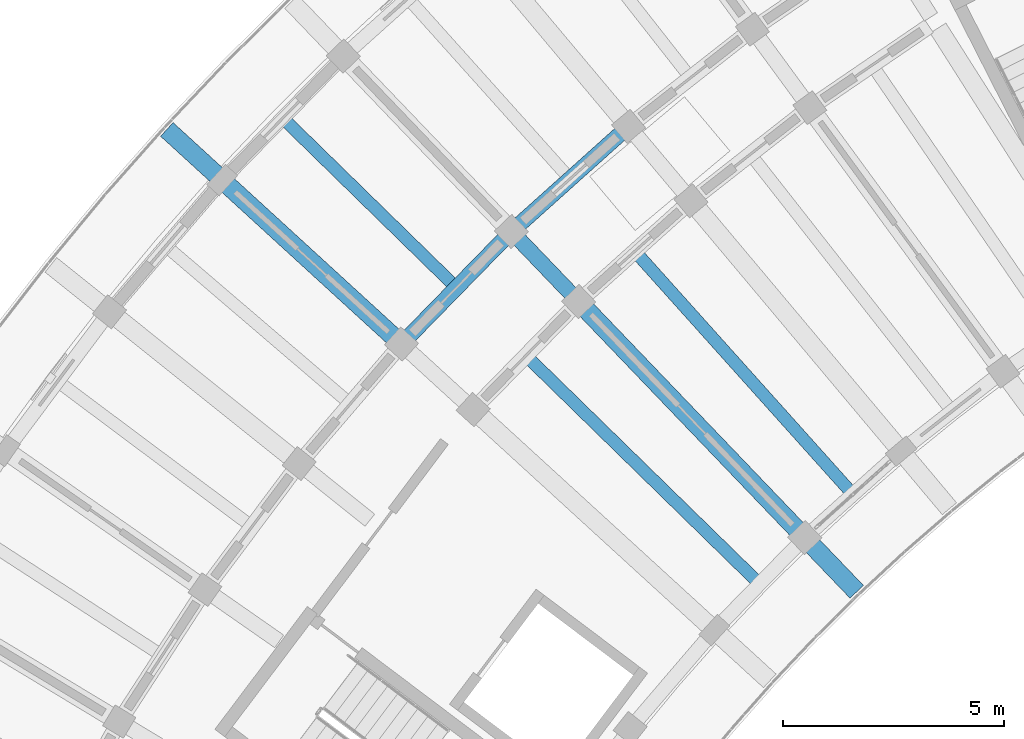
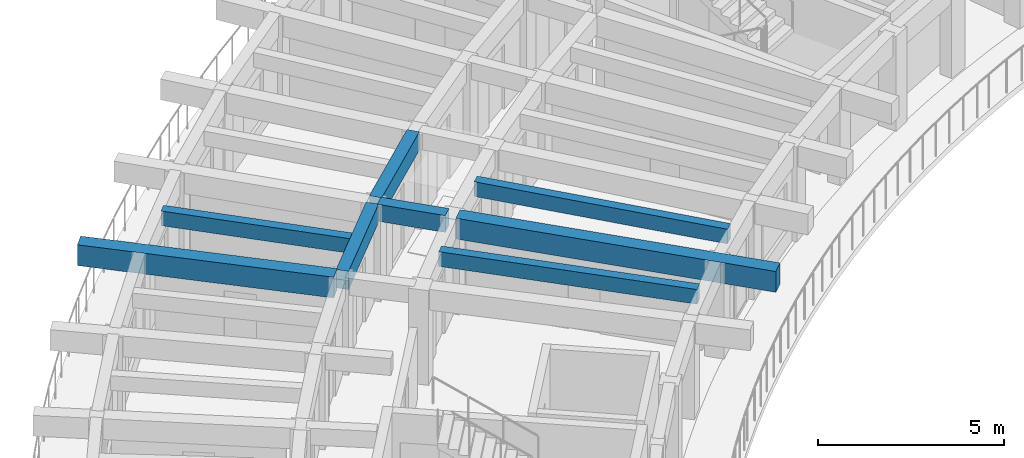
# One storey, part 17 of 96: 8 beams.
"""IFC4 building model written with IfcOpenShell, lengths in metres."""

from ifc_helpers import new_model, si_unit, direction, frame, origin, origin_2d, place, context, subcontext, project, spatial, rectangle, extrude, material, material_profile, profile_set, type_object, element, save


model = new_model("IFC4")

# Units and contexts
model_context = context("Model", 3, precision=1e-05, world=origin(), true_north=direction((0.0, 1.0)))
body_context = subcontext(model_context, "Body", "Model", "MODEL_VIEW")
ifc_project = project(units=[si_unit("LENGTHUNIT", "METRE"), si_unit("AREAUNIT", "SQUARE_METRE"), si_unit("VOLUMEUNIT", "CUBIC_METRE"), si_unit("PLANEANGLEUNIT", "RADIAN"), si_unit("MASSUNIT", "GRAM", prefix="KILO")], contexts=[model_context])

# Site, building, storey
site_placement = place(None, origin())
site = spatial("IfcSite", under=ifc_project, at=site_placement, CompositionType="ELEMENT")
building_placement = place(site_placement, origin())
building = spatial("IfcBuilding", under=site, at=building_placement, Name="Tanwirah Colonnade Gardens", CompositionType="ELEMENT")
storey_placement = place(building_placement, frame((0.0, 0.0, 12.199951171875)))
storey = spatial("IfcBuildingStorey", under=building, at=storey_placement, Name="L03", CompositionType="ELEMENT", Elevation=12.199951171875)

# Beams
ifc_material_1 = material(Name="Precast concrete C40/50", Category="concrete")
ifc_material_profile_1 = material_profile(ifc_material_1, rectangle(XDim=0.35009765625, YDim=0.550048828125, at=origin_2d()), Name="PC-BM 350x550")
ifc_profile_set_1 = profile_set([ifc_material_profile_1], Name="Precast concrete C40/50")
beam_type_1 = type_object("IfcBeamType", Name="BM-PC350A", PredefinedType="BEAM", material=ifc_profile_set_1)
beam_1_placement = place(storey_placement, frame((29.023193359375, 97.74560546875, 2.830078125), z_axis=(-0.691913735329, 0.721980181766, 0.0), x_axis=(-0.721980181766, -0.691913735329, 0.0)))
element("IfcBeam", 1, at=beam_1_placement, inside=storey, type_object=beam_type_1, Name="Block A L03 Corridor Tie Beam 10", PredefinedType="BEAM", context=body_context, shape_type="SweptSolid", body=[
    extrude(rectangle(XDim=0.35009765625, YDim=0.550048828125, at=origin_2d()), origin(), (0.0, 0.0, 1.0), 1.900146484375),
])
ifc_material_profile_2 = material_profile(ifc_material_1, rectangle(XDim=0.35009765625, YDim=0.60009765625, at=origin_2d()), Name="PC-BM 350x600")
ifc_profile_set_2 = profile_set([ifc_material_profile_2], Name="Precast concrete C40/50")
beam_type_2 = type_object("IfcBeamType", Name="BM-PC350B", PredefinedType="BEAM", material=ifc_profile_set_2)
beam_2_placement = place(storey_placement, frame((30.145751953125, 101.504638671875, 2.804931640625), z_axis=(-0.744409136578, -0.667723773262, 0.0), x_axis=(0.667723773262, -0.744409136578, 0.0)))
element("IfcBeam", 2, at=beam_2_placement, inside=storey, type_object=beam_type_2, Name="Block A L03 Circumferential Beam 9-R2", PredefinedType="BEAM", context=body_context, shape_type="SweptSolid", body=[
    extrude(rectangle(XDim=0.35009765625, YDim=0.60009765625, at=origin_2d()), origin(), (0.0, 0.0, 1.0), 3.26318359375),
])
beam_3_placement = place(storey_placement, frame((27.5, 99.118408203125, 2.804931640625), z_axis=(-0.698829447339, -0.71528833594, 0.0), x_axis=(0.71528833594, -0.698829447339, 0.0)))
element("IfcBeam", 3, at=beam_3_placement, inside=storey, type_object=beam_type_2, Name="Block A L03 Circumferential Beam 10-R2", PredefinedType="BEAM", context=body_context, shape_type="SweptSolid", body=[
    extrude(rectangle(XDim=0.35009765625, YDim=0.60009765625, at=origin_2d()), origin(), (0.0, 0.0, 1.0), 3.263427734375),
])
ifc_material_2 = material(Name="Precast concrete C45/55", Category="concrete")
ifc_material_profile_3 = material_profile(ifc_material_2, rectangle(XDim=0.419921875, YDim=0.679931640625, at=origin_2d()), Name="PC-BM 420x680")
ifc_profile_set_3 = profile_set([ifc_material_profile_3], Name="Precast concrete C45/55")
beam_type_3 = type_object("IfcBeamType", Name="BM-PC420", PredefinedType="BEAM", material=ifc_profile_set_3)
beam_4_placement = place(storey_placement, frame((29.230712890625, 97.52880859375, 2.76513671875), z_axis=(0.691860926595, -0.722030787606, 0.0), x_axis=(0.722030787606, 0.691860926595, 0.0)))
element("IfcBeam", 4, at=beam_4_placement, inside=storey, type_object=beam_type_3, Name="Block A L03 Inner Radial Precast Girder 10", PredefinedType="BEAM", context=body_context, shape_type="SweptSolid", body=[
    extrude(rectangle(XDim=0.419921875, YDim=0.679931640625, at=origin_2d()), origin(), (0.0, 0.0, 1.0), 8.949951171875),
])
beam_5_placement = place(storey_placement, frame((25.004150390625, 96.7783203125, 2.76513671875), z_axis=(-0.737934199263, 0.674872667663, 0.0), x_axis=(-0.674872667663, -0.737934199263, 0.0)))
element("IfcBeam", 5, at=beam_5_placement, inside=storey, type_object=beam_type_3, Name="Block A L03 Outer Radial Precast Girder 11", PredefinedType="BEAM", context=body_context, shape_type="SweptSolid", body=[
    extrude(rectangle(XDim=0.419921875, YDim=0.679931640625, at=origin_2d()), origin(), (0.0, 0.0, 1.0), 7.050048828125),
])
ifc_material_profile_4 = material_profile(ifc_material_1, rectangle(XDim=0.280029296875, YDim=0.47998046875, at=origin_2d()), Name="PC-JST 280x480")
ifc_profile_set_4 = profile_set([ifc_material_profile_4], Name="Precast concrete C40/50")
beam_type_4 = type_object("IfcBeamType", Name="JST-PC280", PredefinedType="JOIST", material=ifc_profile_set_4)
beam_6_placement = place(storey_placement, frame((35.2412109375, 93.379638671875, 2.864990234375), z_axis=(-0.667688404274, 0.744440860511, 0.0), x_axis=(-0.744440860511, -0.667688404274, 0.0)))
element("IfcBeam", 6, at=beam_6_placement, inside=storey, type_object=beam_type_4, Name="Block A L03 Inner Precast Floor Joist 9", PredefinedType="JOIST", context=body_context, shape_type="SweptSolid", body=[
    extrude(rectangle(XDim=0.280029296875, YDim=0.47998046875, at=origin_2d()), origin(), (0.0, 0.0, 1.0), 7.16015625),
])
beam_7_placement = place(storey_placement, frame((26.2529296875, 98.0556640625, 2.864990234375), z_axis=(-0.715297399369, 0.698820170327, 0.0), x_axis=(-0.698820170327, -0.715297399369, 0.0)))
element("IfcBeam", 7, at=beam_7_placement, inside=storey, type_object=beam_type_4, Name="Block A L03 Precast Floor Joist 10", PredefinedType="JOIST", context=body_context, shape_type="SweptSolid", body=[
    extrude(rectangle(XDim=0.280029296875, YDim=0.47998046875, at=origin_2d()), origin(), (0.0, 0.0, 1.0), 5.260009765625),
])
beam_8_placement = place(storey_placement, frame((33.11962890625, 91.346923828125, 2.864990234375), z_axis=(-0.715276680509, 0.698841377081, 0.0), x_axis=(-0.698841377081, -0.715276680509, 0.0)))
element("IfcBeam", 8, at=beam_8_placement, inside=storey, type_object=beam_type_4, Name="Block A L03 Inner Precast Floor Joist 10", PredefinedType="JOIST", context=body_context, shape_type="SweptSolid", body=[
    extrude(rectangle(XDim=0.280029296875, YDim=0.47998046875, at=origin_2d()), origin(), (0.0, 0.0, 1.0), 7.159912109375),
])

save(model, "model.ifc")
